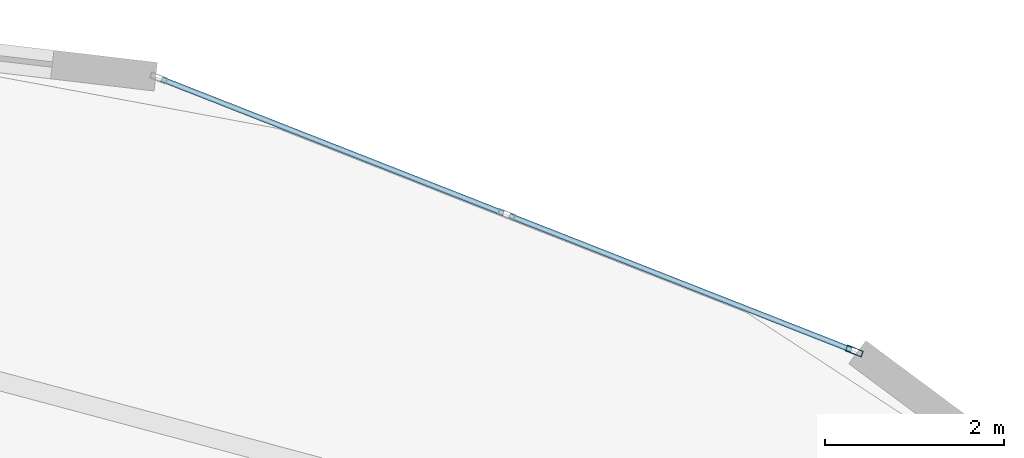
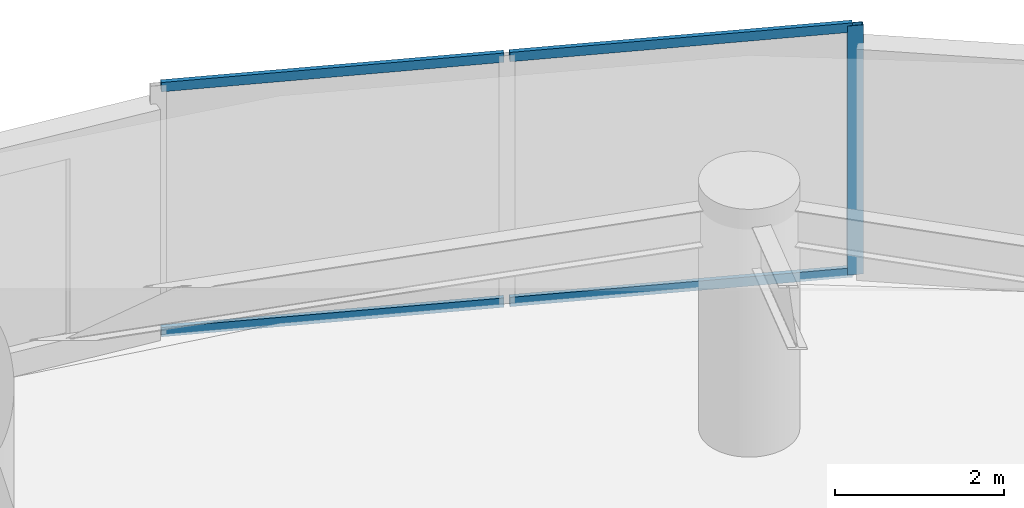
# One storey, part 17 of 25: 5 members, 1 element without a shape of its own.
"""IFC4 building model written with IfcOpenShell, lengths in metres."""

import ifcopenshell
import ifcopenshell.guid

model = None  # the IFC model being written
_history = None  # IfcOwnerHistory: only IFC2X3 demands one
_inside = {}  # id of a spatial element -> (the spatial element, [elements in it])
_under = {}  # id of a project, library or spatial element -> (it, [spatial elements below it])
_declared = {}  # id of a project -> (the project, [libraries it declares])
_typed = {}  # id of a type object -> (the type object, [elements of that type])
_made_of = {}  # id of a material, layer set ... -> (it, [elements and type objects made of it])


def new_model(schema):
    """Start an empty IFC model of exactly this schema.

    Asked for "IFC4X3", IfcOpenShell would pick the latest addendum, in which some entities
    have other attributes; the version numbers below select the first issue.
    IFC2X3 requires an IfcOwnerHistory on every rooted entity: one is made here for all.
    """
    global model, _history
    if schema == "IFC4X3":
        model = ifcopenshell.file(schema_version=(4, 3, 0, 0))
    else:
        model = ifcopenshell.file(schema=schema)
    _inside.clear()
    _under.clear()
    _declared.clear()
    _typed.clear()
    _made_of.clear()
    _history = None
    if model.schema == "IFC2X3":
        org = make("IfcOrganization", Name="unknown")
        user = make(
            "IfcPersonAndOrganization",
            ThePerson=make("IfcPerson", FamilyName="unknown"),
            TheOrganization=org,
        )
        app = make(
            "IfcApplication",
            ApplicationDeveloper=org,
            Version="unknown",
            ApplicationFullName="unknown",
            ApplicationIdentifier="unknown",
        )
        _history = make(
            "IfcOwnerHistory",
            OwningUser=user,
            OwningApplication=app,
            ChangeAction="ADDED",
            CreationDate=0,
        )
    return model


def make(cls, **values):
    """One entity of the class cls with the attributes given. An attribute that is None is left unset."""
    return model.create_entity(
        cls, **{name: value for name, value in values.items() if value is not None}
    )


def rooted(cls, **values):
    """An entity with a GlobalId (a new one), such as an element, a storey or a relation."""
    return make(cls, GlobalId=ifcopenshell.guid.new(), OwnerHistory=_history, **values)


def si_unit(unit_type, name, prefix=None):
    """IfcSIUnit, for example si_unit("LENGTHUNIT", "METRE", prefix="MILLI")."""
    return make("IfcSIUnit", UnitType=unit_type, Prefix=prefix, Name=name)


def assignment(units):
    """IfcUnitAssignment: the units of a project."""
    return None if units is None else make("IfcUnitAssignment", Units=units)


def point(xyz):
    """IfcCartesianPoint."""
    return None if xyz is None else make("IfcCartesianPoint", Coordinates=xyz)


def direction(xyz):
    """IfcDirection."""
    return None if xyz is None else make("IfcDirection", DirectionRatios=xyz)


def frame(location, z_axis=None, x_axis=None):
    """IfcAxis2Placement3D, a coordinate frame: its origin and axes. An axis left out is left unset."""
    return make(
        "IfcAxis2Placement3D",
        Location=point(location),
        Axis=direction(z_axis),
        RefDirection=direction(x_axis),
    )


def frame_2d(location, x_axis=None):
    """IfcAxis2Placement2D, a coordinate frame in the plane: its origin and x axis."""
    return make(
        "IfcAxis2Placement2D", Location=point(location), RefDirection=direction(x_axis)
    )


def origin():
    """The frame at (0, 0, 0) with its axes left unset."""
    return frame((0.0, 0.0, 0.0))


def origin_2d():
    """The frame at (0, 0) in the plane with its x axis left unset."""
    return frame_2d((0.0, 0.0))


def place(relative_to, where):
    """IfcLocalPlacement: puts the frame where relative to a parent placement (None: the world)."""
    return make(
        "IfcLocalPlacement", PlacementRelTo=relative_to, RelativePlacement=where
    )


def context(
    kind, dimensions, precision=None, world=None, true_north=None, identifier=None
):
    """IfcGeometricRepresentationContext, for example the 3D "Model" context."""
    return make(
        "IfcGeometricRepresentationContext",
        ContextIdentifier=identifier,
        ContextType=kind,
        CoordinateSpaceDimension=dimensions,
        Precision=precision,
        WorldCoordinateSystem=world,
        TrueNorth=true_north,
    )


def subcontext(parent, identifier, kind, view, scale=None):
    """IfcGeometricRepresentationSubContext, for example "Body" below "Model"."""
    return make(
        "IfcGeometricRepresentationSubContext",
        ContextIdentifier=identifier,
        ContextType=kind,
        ParentContext=parent,
        TargetScale=scale,
        TargetView=view,
    )


def project(units=None, contexts=None):
    """IfcProject with its units and contexts."""
    return rooted(
        "IfcProject",
        Name="project",
        RepresentationContexts=contexts,
        UnitsInContext=assignment(units),
    )


def spatial(cls, under=None, at=None, **own):
    """A site, building, storey or space (cls), placed at a placement, below another one or the project."""
    s = rooted(cls, ObjectPlacement=at, **own)
    if under is not None:
        _under.setdefault(under.id(), (under, []))[1].append(s)
    return s


def profile(cls, at=None, kind="AREA", **sizes):
    """A parametric profile (cls). Its sizes go by their IFC names, for example OverallWidth=200.0."""
    return make(cls, ProfileType=kind, Position=at, **sizes)


def hollow_rectangle(**sizes):
    """IfcRectangleHollowProfileDef."""
    return profile("IfcRectangleHollowProfileDef", **sizes)


def extrude(swept, where, along, depth):
    """IfcExtrudedAreaSolid: the profile swept, set in the frame where, extruded along a direction by depth."""
    return make(
        "IfcExtrudedAreaSolid",
        SweptArea=swept,
        Position=where,
        ExtrudedDirection=direction(along),
        Depth=depth,
    )


def shape(context_of_items, identifier, shape_type, items):
    """IfcShapeRepresentation: the items that make up one representation, for example the "Body"."""
    return make(
        "IfcShapeRepresentation",
        ContextOfItems=context_of_items,
        RepresentationIdentifier=identifier,
        RepresentationType=shape_type,
        Items=items,
    )


def source(mapping_origin, context_of_items, identifier, shape_type, items):
    """IfcRepresentationMap: a shape defined once, which mapped items show again and again."""
    return make(
        "IfcRepresentationMap",
        MappingOrigin=mapping_origin,
        MappedRepresentation=shape(context_of_items, identifier, shape_type, items),
    )


def transform(
    local_origin,
    x_axis=None,
    y_axis=None,
    z_axis=None,
    scale=None,
    scale2=None,
    scale3=None,
    uniform=True,
):
    """IfcCartesianTransformationOperator3D, or its non-uniform kind. x_axis, y_axis, z_axis: its Axis1, 2, 3."""
    if uniform:
        return make(
            "IfcCartesianTransformationOperator3D",
            Axis1=direction(x_axis),
            Axis2=direction(y_axis),
            LocalOrigin=point(local_origin),
            Scale=scale,
            Axis3=direction(z_axis),
        )
    return make(
        "IfcCartesianTransformationOperator3DnonUniform",
        Axis1=direction(x_axis),
        Axis2=direction(y_axis),
        LocalOrigin=point(local_origin),
        Scale=scale,
        Axis3=direction(z_axis),
        Scale2=scale2,
        Scale3=scale3,
    )


def mapped(mapping_source, mapping_target):
    """IfcMappedItem: shows the shape of a source again, moved by a transform."""
    return make(
        "IfcMappedItem", MappingSource=mapping_source, MappingTarget=mapping_target
    )


def material(Name=None, Category=None):
    """IfcMaterial."""
    return make("IfcMaterial", Name=Name, Category=Category)


def layer(
    of_material, thickness, ventilated=None, Name=None, Category=None, Priority=None
):
    """IfcMaterialLayer: one layer of a wall or slab, of a material (None: an air gap)."""
    return make(
        "IfcMaterialLayer",
        Material=of_material,
        LayerThickness=thickness,
        IsVentilated=ventilated,
        Name=Name,
        Category=Category,
        Priority=Priority,
    )


def layer_set(layers, Name=None):
    """IfcMaterialLayerSet."""
    return make("IfcMaterialLayerSet", MaterialLayers=layers, LayerSetName=Name)


def material_profile(
    of_material, cross_section, Name=None, Category=None, Priority=None
):
    """IfcMaterialProfile: a cross section and its material."""
    return make(
        "IfcMaterialProfile",
        Name=Name,
        Material=of_material,
        Profile=cross_section,
        Priority=Priority,
        Category=Category,
    )


def profile_set(profiles, Name=None, composite=None):
    """IfcMaterialProfileSet."""
    return make(
        "IfcMaterialProfileSet",
        Name=Name,
        MaterialProfiles=profiles,
        CompositeProfile=composite,
    )


def made_of(thing, what):
    """Note that an element or type object is made of a material, layer set ...; save() writes the relation."""
    if what is not None:
        _made_of.setdefault(what.id(), (what, []))[1].append(thing)
    return thing


def type_object(cls, material=None, **own):
    """A type object (cls), such as IfcWallType, which elements share."""
    return made_of(rooted(cls, **own), material)


def element(
    cls,
    number,
    at=None,
    inside=None,
    cuts=None,
    type_object=None,
    material=None,
    context=None,
    identifier="Body",
    shape_type=None,
    held_by="IfcProductDefinitionShape",
    body=None,
    shapes=None,
    **own,
):
    """One element of the class cls, such as IfcWall. Its Tag is "e" and its number.

    at: its placement. inside: the storey or other place that contains it. cuts: it is an
    opening in that element (IfcRelVoidsElement). A single representation is given by context,
    identifier, shape_type and body (its items); several are given by shapes. held_by: the class
    of the entity that holds the representations. save() writes the other relations.
    """
    e = rooted(cls, Tag="e%d" % number, ObjectPlacement=at, **own)
    if body is not None:
        shapes = [shape(context, identifier, shape_type, body)]
    if shapes is not None:
        e.Representation = make(held_by, Representations=shapes)
    if inside is not None:
        _inside.setdefault(inside.id(), (inside, []))[1].append(e)
    if cuts is not None:
        rooted(
            "IfcRelVoidsElement", RelatingBuildingElement=cuts, RelatedOpeningElement=e
        )
    if type_object is not None:
        _typed.setdefault(type_object.id(), (type_object, []))[1].append(e)
    return made_of(e, material)


def aggregate(whole, parts):
    """IfcRelAggregates: a whole, such as a stair, and the parts it consists of."""
    return rooted("IfcRelAggregates", RelatingObject=whole, RelatedObjects=parts)


def save(model, path):
    """Write the relations noted so far, then the file.

    IfcRelAggregates (storeys below a building ...), IfcRelContainedInSpatialStructure (elements
    in a storey), IfcRelDefinesByType, IfcRelAssociatesMaterial and IfcRelDeclares: one each for
    every whole, place, type object, material and project.
    """
    for whole, parts in _under.values():
        aggregate(whole, parts)
    for where, things in _inside.values():
        rooted(
            "IfcRelContainedInSpatialStructure",
            RelatedElements=things,
            RelatingStructure=where,
        )
    for kind, things in _typed.values():
        rooted("IfcRelDefinesByType", RelatedObjects=things, RelatingType=kind)
    for what, things in _made_of.values():
        rooted("IfcRelAssociatesMaterial", RelatedObjects=things, RelatingMaterial=what)
    for by, libraries in _declared.values():
        rooted("IfcRelDeclares", RelatingContext=by, RelatedDefinitions=libraries)
    model.write(path)


model = new_model("IFC4")

# Units and contexts
model_context = context("Model", 3, precision=1e-05, world=origin(), true_north=direction((0.0, 1.0)))
body_context = subcontext(model_context, "Body", "Model", "MODEL_VIEW")
ifc_project = project(units=[si_unit("LENGTHUNIT", "METRE"), si_unit("AREAUNIT", "SQUARE_METRE"), si_unit("VOLUMEUNIT", "CUBIC_METRE"), si_unit("PLANEANGLEUNIT", "RADIAN"), si_unit("MASSUNIT", "GRAM", prefix="KILO")], contexts=[model_context])

# Site, building, storey
site_placement = place(None, origin())
site = spatial("IfcSite", under=ifc_project, at=site_placement, CompositionType="ELEMENT")
building_placement = place(site_placement, origin())
building = spatial("IfcBuilding", under=site, at=building_placement, Name="Solvirekh Grand Hotel", CompositionType="ELEMENT")
storey_placement = place(building_placement, frame((0.0, 0.0, 57.199951171875)))
storey = spatial("IfcBuildingStorey", under=building, at=storey_placement, Name="L13", CompositionType="ELEMENT", Elevation=57.199951171875)

# Curtain wall, members
ifc_material = material(Name="Anodized Bronze Aluminium 6063-T6", Category="aluminium")
ifc_layer = layer(ifc_material, 0.18994140625)
ifc_layer_set = layer_set([ifc_layer], Name="Anodized Bronze Aluminium 6063-T6")
curtain_wall_type = type_object("IfcCurtainWallType", Name="CW_Sys2_LowZoneFlushBronzeCW", PredefinedType="NOTDEFINED", material=ifc_layer_set)
curtain_wall_placement = place(storey_placement, origin())
curtain_wall = element("IfcCurtainWall", 1, at=curtain_wall_placement, inside=storey, type_object=curtain_wall_type, Name="L13 unitised bronze-glass curtain wall CW-L13-C05", PredefinedType="NOTDEFINED")
ifc_material_profile_1 = material_profile(ifc_material, hollow_rectangle(XDim=0.070068359375, YDim=0.18994140625, WallThickness=0.0048828125, at=origin_2d()), Name="ALU RHS 190X70X5")
ifc_profile_set_1 = profile_set([ifc_material_profile_1], Name="Anodized Bronze Aluminium 6063-T6")
member_type_1 = type_object("IfcMemberType", Name="CWMullion_Sys2", PredefinedType="MULLION", material=ifc_profile_set_1)
shared_shape_1 = source(origin(), body_context, "Body", "SweptSolid", [
    extrude(hollow_rectangle(XDim=0.070068359375, YDim=0.18994140625, WallThickness=0.0048828125, at=origin_2d()), origin(), (0.0, 0.0, 1.0), 3.60009765625),
])
member_1_placement = place(storey_placement, frame((12.00048828125, 18.27783203125, 0.0), z_axis=(0.0, 0.0, 1.0), x_axis=(-0.365398599776, -0.930851149906, 0.0)))
member_1 = element("IfcMember", 2, at=member_1_placement, type_object=member_type_1, Name="U02 mullion 1", PredefinedType="MULLION", context=body_context, shape_type="MappedRepresentation", body=[
    mapped(shared_shape_1, transform((0.0, 0.0, 0.0), x_axis=(1.0, 0.0, 0.0), y_axis=(0.0, 1.0, 0.0), z_axis=(0.0, 0.0, 1.0), scale=1.0)),
])
ifc_material_profile_2 = material_profile(ifc_material, hollow_rectangle(XDim=0.06005859375, YDim=0.135009765625, WallThickness=0.00390625, at=origin_2d()), Name="ALU RHS 135X60X4")
ifc_profile_set_2 = profile_set([ifc_material_profile_2], Name="Anodized Bronze Aluminium 6063-T6")
member_type_2 = type_object("IfcMemberType", Name="CWTransom_Sys2", PredefinedType="USERDEFINED", material=ifc_profile_set_2)
shared_shape_2 = source(origin(), body_context, "Body", "SweptSolid", [
    extrude(hollow_rectangle(XDim=0.06005859375, YDim=0.135009765625, WallThickness=0.00390625, at=origin_2d()), origin(), (0.0, 0.0, 1.0), 4.1015625),
])
member_2_placement = place(storey_placement, frame((8.0849609375, 19.814697265625, 0.030029296875), z_axis=(-0.930842625646, 0.365420314544, 0.0), x_axis=(-0.365420314544, -0.930842625646, 0.0)))
member_2 = element("IfcMember", 3, at=member_2_placement, type_object=member_type_2, Name="U02 transom 2.1", ObjectType="TRANSOM", PredefinedType="USERDEFINED", context=body_context, shape_type="MappedRepresentation", body=[
    mapped(shared_shape_2, transform((0.0, 0.0, 0.0), x_axis=(1.0, 0.0, 0.0), y_axis=(0.0, 1.0, 0.0), z_axis=(0.0, 0.0, 1.0), scale=1.0)),
])
member_3_placement = place(storey_placement, frame((8.0849609375, 19.814697265625, 3.570068359375), z_axis=(-0.930842625646, 0.365420314544, 0.0), x_axis=(-0.365420314544, -0.930842625646, 0.0)))
member_3 = element("IfcMember", 4, at=member_3_placement, type_object=member_type_2, Name="U02 transom 2.2", ObjectType="TRANSOM", PredefinedType="USERDEFINED", context=body_context, shape_type="MappedRepresentation", body=[
    mapped(shared_shape_2, transform((0.0, 0.0, 0.0), x_axis=(1.0, 0.0, 0.0), y_axis=(0.0, 1.0, 0.0), z_axis=(0.0, 0.0, 1.0), scale=1.0)),
])
shared_shape_3 = source(origin(), body_context, "Body", "SweptSolid", [
    extrude(hollow_rectangle(XDim=0.06005859375, YDim=0.135009765625, WallThickness=0.00390625, at=origin_2d()), origin(), (0.0, 0.0, 1.0), 4.101318359375),
])
member_4_placement = place(storey_placement, frame((11.9677734375, 18.29052734375, 0.030029296875), z_axis=(-0.930834676572, 0.365440562734, 0.0), x_axis=(-0.365440562734, -0.930834676572, 0.0)))
member_4 = element("IfcMember", 5, at=member_4_placement, type_object=member_type_2, Name="U02 transom 1.1", ObjectType="TRANSOM", PredefinedType="USERDEFINED", context=body_context, shape_type="MappedRepresentation", body=[
    mapped(shared_shape_3, transform((0.0, 0.0, 0.0), x_axis=(1.0, 0.0, 0.0), y_axis=(0.0, 1.0, 0.0), z_axis=(0.0, 0.0, 1.0), scale=1.0)),
])
member_5_placement = place(storey_placement, frame((11.9677734375, 18.29052734375, 3.570068359375), z_axis=(-0.930834676572, 0.365440562734, 0.0), x_axis=(-0.365440562734, -0.930834676572, 0.0)))
member_5 = element("IfcMember", 6, at=member_5_placement, type_object=member_type_2, Name="U02 transom 1.2", ObjectType="TRANSOM", PredefinedType="USERDEFINED", context=body_context, shape_type="MappedRepresentation", body=[
    mapped(shared_shape_3, transform((0.0, 0.0, 0.0), x_axis=(1.0, 0.0, 0.0), y_axis=(0.0, 1.0, 0.0), z_axis=(0.0, 0.0, 1.0), scale=1.0)),
])
aggregate(curtain_wall, [member_1, member_4, member_5, member_2, member_3])

save(model, "model.ifc")
